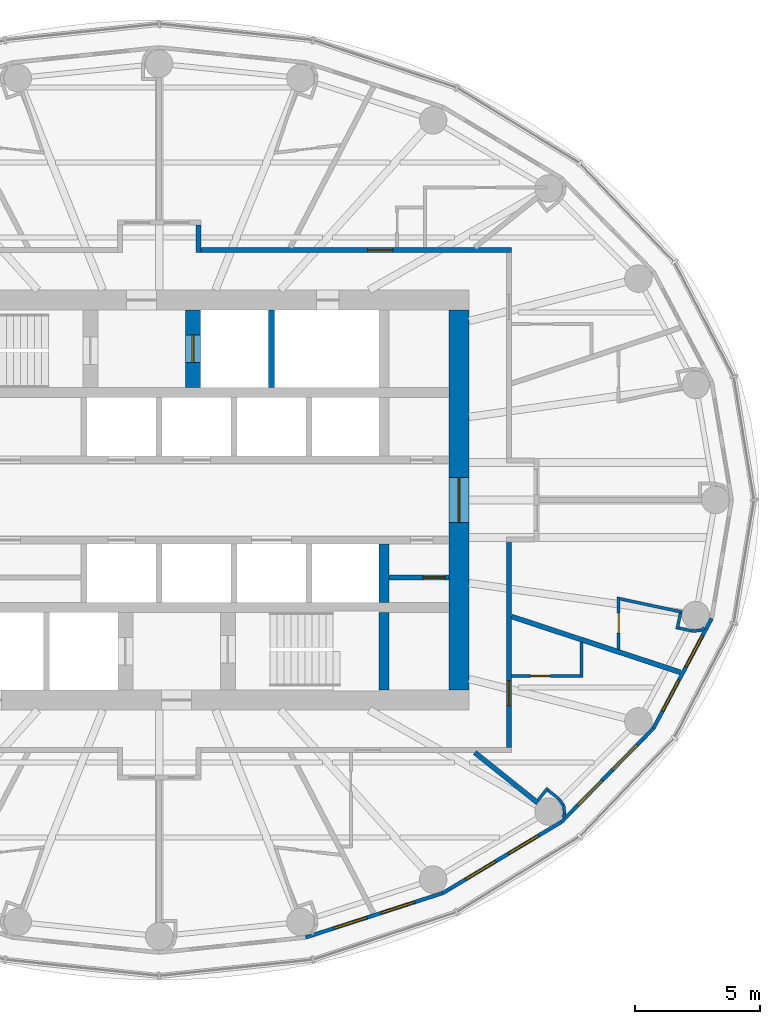
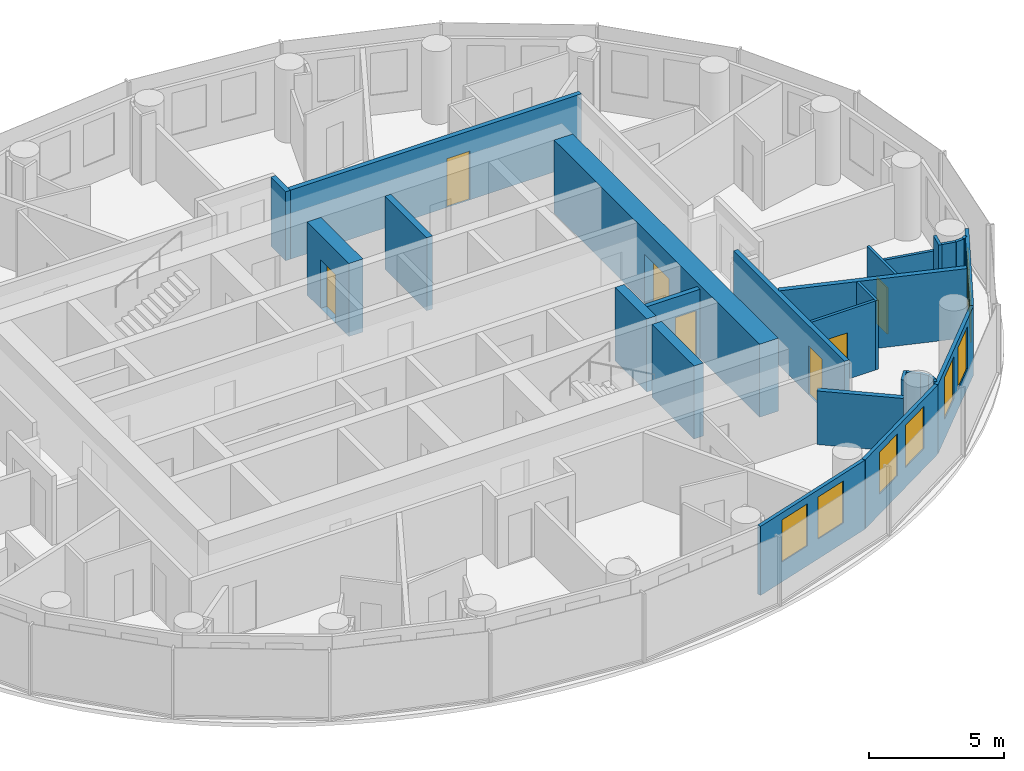
# One storey, part 10 of 16: 28 walls, 8 windows, 7 doors, 15 openings.
"""IFC4 building model written with IfcOpenShell, lengths in metres."""

from ifc_helpers import new_model, si_unit, direction, frame, frame_2d, origin, place, context, subcontext, project, spatial, rectangle, extrude, material, layer, layer_set, type_object, element, fill, save


model = new_model("IFC4")

# Units and contexts
model_context = context("Model", 3, precision=1e-05, world=origin(), true_north=direction((0.0, 1.0)))
body_context = subcontext(model_context, "Body", "Model", "MODEL_VIEW")
ifc_project = project(units=[si_unit("LENGTHUNIT", "METRE"), si_unit("AREAUNIT", "SQUARE_METRE"), si_unit("VOLUMEUNIT", "CUBIC_METRE"), si_unit("PLANEANGLEUNIT", "RADIAN"), si_unit("MASSUNIT", "GRAM", prefix="KILO")], contexts=[model_context])

# Site, building, storey
site_placement = place(None, origin())
site = spatial("IfcSite", under=ifc_project, at=site_placement, CompositionType="ELEMENT")
building_placement = place(site_placement, origin())
building = spatial("IfcBuilding", under=site, at=building_placement, Name="Hankou Lantern Tower", CompositionType="ELEMENT")
storey_placement = place(building_placement, frame((0.0, 0.0, 153.300048828125)))
storey = spatial("IfcBuildingStorey", under=building, at=storey_placement, Name="L40", CompositionType="ELEMENT", Elevation=153.300048828125)

# Wall, opening, door
ifc_material_1 = material(Name="Concrete C60", Category="concrete")
ifc_layer_1 = layer(ifc_material_1, 0.800048828125)
ifc_layer_set_1 = layer_set([ifc_layer_1], Name="Concrete C60")
wall_type_1 = type_object("IfcWallType", Name="CW2 CORE WALL 800", PredefinedType="SHEAR", material=ifc_layer_set_1)
wall_1_placement = place(storey_placement, frame((12.0, -7.60009765625, 0.0), z_axis=(0.0, 0.0, 1.0), x_axis=(0.0, 1.0, 0.0)))
wall_1 = element("IfcWall", 1, at=wall_1_placement, inside=storey, type_object=wall_type_1, Name="Core wall east L40", PredefinedType="SHEAR", context=body_context, shape_type="SweptSolid", body=[
    extrude(rectangle(XDim=15.2001953125, YDim=0.800048828125, at=frame_2d((7.60009765625, 0.0))), origin(), (0.0, 0.0, 1.0), 3.300048828125),
])
opening_1_placement = place(wall_1_placement, frame((6.699951171875, 0.0, 0.0)))
opening_1 = element("IfcOpeningElement", 2, at=opening_1_placement, cuts=wall_1, Name="Opening D6", PredefinedType="OPENING", context=body_context, shape_type="SweptSolid", body=[
    extrude(rectangle(XDim=1.800048828125, YDim=2.199951171875, at=frame_2d((0.89990234375, 1.10009765625))), frame((0.0, 0.409912109375, 0.0), z_axis=(0.0, -1.0, 0.0), x_axis=(1.0, 0.0, 0.0)), (0.0, 0.0, 1.0), 0.820068359375),
])
ifc_material_2 = material(Name="Steel door leaf", Category="steel")
door_type_1 = type_object("IfcDoorType", Name="D6 LIFT LOBBY DOOR 1800X2200", OperationType="DOUBLE_DOOR_DOUBLE_SWING", PredefinedType="DOOR", material=ifc_material_2)
door_1_placement = place(opening_1_placement, origin())
door_1 = element("IfcDoor", 3, at=door_1_placement, inside=storey, type_object=door_type_1, Name="Lift lobby east door", OperationType="DOUBLE_DOOR_DOUBLE_SWING", OverallHeight=2.199951171875, OverallWidth=1.800048828125, PredefinedType="DOOR", context=body_context, shape_type="SweptSolid", body=[
    extrude(rectangle(XDim=1.800048828125, YDim=2.199951171875, at=frame_2d((0.89990234375, 1.10009765625))), frame((0.0, 0.02490234375, 0.0), z_axis=(0.0, -1.0, 0.0), x_axis=(1.0, 0.0, 0.0)), (0.0, 0.0, 1.0), 0.050048828125),
])
fill(opening_1, door_1)

# Walls
ifc_material_3 = material(Name="Concrete C60", Category="concrete")
ifc_layer_2 = layer(ifc_material_3, 0.39990234375)
ifc_layer_set_2 = layer_set([ifc_layer_2], Name="Concrete C60")
wall_type_2 = type_object("IfcWallType", Name="CW4 CORE CROSS WALL 400", PredefinedType="SHEAR", material=ifc_layer_set_2)
wall_2_placement = place(storey_placement, frame((9.0, -4.10009765625, 0.0), z_axis=(0.0, 0.0, 1.0), x_axis=(0.0, 1.0, 0.0)))
element("IfcWall", 4, at=wall_2_placement, inside=storey, type_object=wall_type_2, Name="Core strip wall L40", PredefinedType="SHEAR", context=body_context, shape_type="SweptSolid", body=[
    extrude(rectangle(XDim=2.35009765625, YDim=0.39990234375, at=frame_2d((1.175048828125, 0.0))), origin(), (0.0, 0.0, 1.0), 3.300048828125),
])
wall_3_placement = place(storey_placement, frame((9.0, -7.60009765625, 0.0), z_axis=(0.0, 0.0, 1.0), x_axis=(0.0, 1.0, 0.0)))
element("IfcWall", 5, at=wall_3_placement, inside=storey, type_object=wall_type_2, Name="Core strip wall L40", PredefinedType="SHEAR", context=body_context, shape_type="SweptSolid", body=[
    extrude(rectangle(XDim=3.10009765625, YDim=0.39990234375, at=frame_2d((1.550048828125, 0.0))), origin(), (0.0, 0.0, 1.0), 3.300048828125),
])

# Wall, opening, door
ifc_material_4 = material(Name="Concrete C60", Category="concrete")
ifc_layer_3 = layer(ifc_material_4, 0.60009765625)
ifc_layer_set_3 = layer_set([ifc_layer_3], Name="Concrete C60")
wall_type_3 = type_object("IfcWallType", Name="CW6 STAIR AND SHAFT WALL 600", PredefinedType="SHEAR", material=ifc_layer_set_3)
wall_4_placement = place(storey_placement, frame((1.35009765625, 4.5, 0.0), z_axis=(0.0, 0.0, 1.0), x_axis=(0.0, 1.0, 0.0)))
wall_4 = element("IfcWall", 6, at=wall_4_placement, inside=storey, type_object=wall_type_3, Name="Firefighting lift shaft wall L40", PredefinedType="SHEAR", context=body_context, shape_type="SweptSolid", body=[
    extrude(rectangle(XDim=3.10009765625, YDim=0.60009765625, at=frame_2d((1.550048828125, 0.0))), origin(), (0.0, 0.0, 1.0), 3.300048828125),
])
opening_2_placement = place(wall_4_placement, frame((1.0, 0.0, 0.0)))
opening_2 = element("IfcOpeningElement", 7, at=opening_2_placement, cuts=wall_4, Name="Opening LD2", PredefinedType="OPENING", context=body_context, shape_type="SweptSolid", body=[
    extrude(rectangle(XDim=1.10009765625, YDim=2.199951171875, at=frame_2d((0.550048828125, 1.10009765625))), frame((0.0, 0.31005859375, 0.0), z_axis=(0.0, -1.0, 0.0), x_axis=(1.0, 0.0, 0.0)), (0.0, 0.0, 1.0), 0.6201171875),
])
ifc_material_5 = material(Name="Steel door leaf", Category="steel")
door_type_2 = type_object("IfcDoorType", Name="LD2 FIREFIGHTING LIFT LANDING DOOR 1100X2200", OperationType="DOUBLE_DOOR_SLIDING", PredefinedType="DOOR", material=ifc_material_5)
door_2_placement = place(opening_2_placement, origin())
door_2 = element("IfcDoor", 8, at=door_2_placement, inside=storey, type_object=door_type_2, Name="Firefighting lift FL1 landing door", OperationType="DOUBLE_DOOR_SLIDING", OverallHeight=2.199951171875, OverallWidth=1.10009765625, PredefinedType="DOOR", context=body_context, shape_type="SweptSolid", body=[
    extrude(rectangle(XDim=1.10009765625, YDim=2.199951171875, at=frame_2d((0.550048828125, 1.10009765625))), frame((0.0, 0.02490234375, 0.0), z_axis=(0.0, -1.0, 0.0), x_axis=(1.0, 0.0, 0.0)), (0.0, 0.0, 1.0), 0.050048828125),
])
fill(opening_2, door_2)

# Wall, openings, windows
ifc_material_6 = material(Name="Aluminium spandrel panel on steel studs", Category="steel")
ifc_layer_4 = layer(ifc_material_6, 0.14990234375)
ifc_layer_set_4 = layer_set([ifc_layer_4], Name="Aluminium spandrel panel on steel studs")
wall_type_4 = type_object("IfcWallType", Name="EW1 INNER SKIN WALL 150", PredefinedType="ELEMENTEDWALL", material=ifc_layer_set_4)
wall_5_placement = place(storey_placement, frame((5.8603515625, -17.497314453125, 0.0), z_axis=(0.0, 0.0, 1.0), x_axis=(0.951432482129, 0.307857486429, 0.0)))
wall_5 = element("IfcWall", 9, at=wall_5_placement, inside=storey, type_object=wall_type_4, Name="Inner skin R20-R21 L40", PredefinedType="ELEMENTEDWALL", context=body_context, shape_type="SweptSolid", body=[
    extrude(rectangle(XDim=5.76611328125, YDim=0.14990234375, at=frame_2d((2.883056640625, 0.0))), origin(), (0.0, 0.0, 1.0), 3.119873046875),
])
opening_3_placement = place(wall_5_placement, frame((1.18310546875, 0.0, 0.89990234375)))
opening_3 = element("IfcOpeningElement", 10, at=opening_3_placement, cuts=wall_5, Name="Opening W3", PredefinedType="OPENING", context=body_context, shape_type="SweptSolid", body=[
    extrude(rectangle(XDim=1.39990234375, YDim=1.89990234375, at=frame_2d((0.699951171875, 0.949951171875))), frame((0.0, 0.0849609375, 0.0), z_axis=(0.0, -1.0, 0.0), x_axis=(1.0, 0.0, 0.0)), (0.0, 0.0, 1.0), 0.169921875),
])
opening_4_placement = place(wall_5_placement, frame((3.18310546875, 0.0, 0.89990234375)))
opening_4 = element("IfcOpeningElement", 11, at=opening_4_placement, cuts=wall_5, Name="Opening W3", PredefinedType="OPENING", context=body_context, shape_type="SweptSolid", body=[
    extrude(rectangle(XDim=1.39990234375, YDim=1.89990234375, at=frame_2d((0.699951171875, 0.949951171875))), frame((0.0, 0.0849609375, 0.0), z_axis=(0.0, -1.0, 0.0), x_axis=(1.0, 0.0, 0.0)), (0.0, 0.0, 1.0), 0.169921875),
])
ifc_material_7 = material(Name="Aluminium framed double glazed window", Category="aluminium")
window_type = type_object("IfcWindowType", Name="W3 GUEST ROOM WINDOW 1400X1900", PartitioningType="DOUBLE_PANEL_VERTICAL", PredefinedType="WINDOW", material=ifc_material_7)
window_1_placement = place(opening_3_placement, origin())
window_1 = element("IfcWindow", 12, at=window_1_placement, inside=storey, type_object=window_type, Name="Window R20.1 L40", OverallHeight=1.89990234375, OverallWidth=1.39990234375, PartitioningType="SINGLE_PANEL", PredefinedType="WINDOW", context=body_context, shape_type="SweptSolid", body=[
    extrude(rectangle(XDim=1.39990234375, YDim=1.89990234375, at=frame_2d((0.699951171875, 0.949951171875))), frame((0.0, 0.030029296875, 0.0), z_axis=(0.0, -1.0, 0.0), x_axis=(1.0, 0.0, 0.0)), (0.0, 0.0, 1.0), 0.06005859375),
])
fill(opening_3, window_1)
window_2_placement = place(opening_4_placement, origin())
window_2 = element("IfcWindow", 13, at=window_2_placement, inside=storey, type_object=window_type, Name="Window R20.2 L40", OverallHeight=1.89990234375, OverallWidth=1.39990234375, PartitioningType="SINGLE_PANEL", PredefinedType="WINDOW", context=body_context, shape_type="SweptSolid", body=[
    extrude(rectangle(XDim=1.39990234375, YDim=1.89990234375, at=frame_2d((0.699951171875, 0.949951171875))), frame((0.0, 0.030029296875, 0.0), z_axis=(0.0, -1.0, 0.0), x_axis=(1.0, 0.0, 0.0)), (0.0, 0.0, 1.0), 0.06005859375),
])
fill(opening_4, window_2)

wall_6_placement = place(storey_placement, frame((11.346435546875, -15.72216796875, 0.0), z_axis=(0.0, 0.0, 1.0), x_axis=(0.857695199231, 0.514158482587, 0.0)))
wall_6 = element("IfcWall", 14, at=wall_6_placement, inside=storey, type_object=wall_type_4, Name="Inner skin R21-R22 L40", PredefinedType="ELEMENTEDWALL", context=body_context, shape_type="SweptSolid", body=[
    extrude(rectangle(XDim=5.5361328125, YDim=0.14990234375, at=frame_2d((2.76806640625, 0.0))), origin(), (0.0, 0.0, 1.0), 3.119873046875),
])
opening_5_placement = place(wall_6_placement, frame((1.068115234375, 0.0, 0.89990234375)))
opening_5 = element("IfcOpeningElement", 15, at=opening_5_placement, cuts=wall_6, Name="Opening W3", PredefinedType="OPENING", context=body_context, shape_type="SweptSolid", body=[
    extrude(rectangle(XDim=1.39990234375, YDim=1.89990234375, at=frame_2d((0.699951171875, 0.949951171875))), frame((0.0, 0.0849609375, 0.0), z_axis=(0.0, -1.0, 0.0), x_axis=(1.0, 0.0, 0.0)), (0.0, 0.0, 1.0), 0.169921875),
])
opening_6_placement = place(wall_6_placement, frame((3.068115234375, 0.0, 0.89990234375)))
opening_6 = element("IfcOpeningElement", 16, at=opening_6_placement, cuts=wall_6, Name="Opening W3", PredefinedType="OPENING", context=body_context, shape_type="SweptSolid", body=[
    extrude(rectangle(XDim=1.39990234375, YDim=1.89990234375, at=frame_2d((0.699951171875, 0.949951171875))), frame((0.0, 0.0849609375, 0.0), z_axis=(0.0, -1.0, 0.0), x_axis=(1.0, 0.0, 0.0)), (0.0, 0.0, 1.0), 0.169921875),
])
window_3_placement = place(opening_5_placement, origin())
window_3 = element("IfcWindow", 17, at=window_3_placement, inside=storey, type_object=window_type, Name="Window R21.1 L40", OverallHeight=1.89990234375, OverallWidth=1.39990234375, PartitioningType="SINGLE_PANEL", PredefinedType="WINDOW", context=body_context, shape_type="SweptSolid", body=[
    extrude(rectangle(XDim=1.39990234375, YDim=1.89990234375, at=frame_2d((0.699951171875, 0.949951171875))), frame((0.0, 0.030029296875, 0.0), z_axis=(0.0, -1.0, 0.0), x_axis=(1.0, 0.0, 0.0)), (0.0, 0.0, 1.0), 0.06005859375),
])
fill(opening_5, window_3)
window_4_placement = place(opening_6_placement, origin())
window_4 = element("IfcWindow", 18, at=window_4_placement, inside=storey, type_object=window_type, Name="Window R21.2 L40", OverallHeight=1.89990234375, OverallWidth=1.39990234375, PartitioningType="SINGLE_PANEL", PredefinedType="WINDOW", context=body_context, shape_type="SweptSolid", body=[
    extrude(rectangle(XDim=1.39990234375, YDim=1.89990234375, at=frame_2d((0.699951171875, 0.949951171875))), frame((0.0, 0.030029296875, 0.0), z_axis=(0.0, -1.0, 0.0), x_axis=(1.0, 0.0, 0.0)), (0.0, 0.0, 1.0), 0.06005859375),
])
fill(opening_6, window_4)

wall_7_placement = place(storey_placement, frame((16.0947265625, -12.875732421875, 0.0), z_axis=(0.0, 0.0, 1.0), x_axis=(0.700727467776, 0.71342905457, 0.0)))
wall_7 = element("IfcWall", 19, at=wall_7_placement, inside=storey, type_object=wall_type_4, Name="Inner skin R22-R23 L40", PredefinedType="ELEMENTEDWALL", context=body_context, shape_type="SweptSolid", body=[
    extrude(rectangle(XDim=5.247314453125, YDim=0.14990234375, at=frame_2d((2.62353515625, 0.0))), origin(), (0.0, 0.0, 1.0), 3.119873046875),
])
opening_7_placement = place(wall_7_placement, frame((0.923583984375, 0.0, 0.89990234375)))
opening_7 = element("IfcOpeningElement", 20, at=opening_7_placement, cuts=wall_7, Name="Opening W3", PredefinedType="OPENING", context=body_context, shape_type="SweptSolid", body=[
    extrude(rectangle(XDim=1.39990234375, YDim=1.89990234375, at=frame_2d((0.699951171875, 0.949951171875))), frame((0.0, 0.0849609375, 0.0), z_axis=(0.0, -1.0, 0.0), x_axis=(1.0, 0.0, 0.0)), (0.0, 0.0, 1.0), 0.169921875),
])
opening_8_placement = place(wall_7_placement, frame((2.923583984375, 0.0, 0.89990234375)))
opening_8 = element("IfcOpeningElement", 21, at=opening_8_placement, cuts=wall_7, Name="Opening W3", PredefinedType="OPENING", context=body_context, shape_type="SweptSolid", body=[
    extrude(rectangle(XDim=1.39990234375, YDim=1.89990234375, at=frame_2d((0.699951171875, 0.949951171875))), frame((0.0, 0.0849609375, 0.0), z_axis=(0.0, -1.0, 0.0), x_axis=(1.0, 0.0, 0.0)), (0.0, 0.0, 1.0), 0.169921875),
])
window_5_placement = place(opening_7_placement, origin())
window_5 = element("IfcWindow", 22, at=window_5_placement, inside=storey, type_object=window_type, Name="Window R22.1 L40", OverallHeight=1.89990234375, OverallWidth=1.39990234375, PartitioningType="SINGLE_PANEL", PredefinedType="WINDOW", context=body_context, shape_type="SweptSolid", body=[
    extrude(rectangle(XDim=1.39990234375, YDim=1.89990234375, at=frame_2d((0.699951171875, 0.949951171875))), frame((0.0, 0.030029296875, 0.0), z_axis=(0.0, -1.0, 0.0), x_axis=(1.0, 0.0, 0.0)), (0.0, 0.0, 1.0), 0.06005859375),
])
fill(opening_7, window_5)
window_6_placement = place(opening_8_placement, origin())
window_6 = element("IfcWindow", 23, at=window_6_placement, inside=storey, type_object=window_type, Name="Window R22.2 L40", OverallHeight=1.89990234375, OverallWidth=1.39990234375, PartitioningType="SINGLE_PANEL", PredefinedType="WINDOW", context=body_context, shape_type="SweptSolid", body=[
    extrude(rectangle(XDim=1.39990234375, YDim=1.89990234375, at=frame_2d((0.699951171875, 0.949951171875))), frame((0.0, 0.030029296875, 0.0), z_axis=(0.0, -1.0, 0.0), x_axis=(1.0, 0.0, 0.0)), (0.0, 0.0, 1.0), 0.06005859375),
])
fill(opening_8, window_6)

wall_8_placement = place(storey_placement, frame((19.771728515625, -9.132080078125, 0.0), z_axis=(0.0, 0.0, 1.0), x_axis=(0.468428906714, 0.883501193748, 0.0)))
wall_8 = element("IfcWall", 24, at=wall_8_placement, inside=storey, type_object=wall_type_4, Name="Inner skin R23-R24 L40", PredefinedType="ELEMENTEDWALL", context=body_context, shape_type="SweptSolid", body=[
    extrude(rectangle(XDim=4.9736328125, YDim=0.14990234375, at=frame_2d((2.48681640625, 0.0))), origin(), (0.0, 0.0, 1.0), 3.119873046875),
])
opening_9_placement = place(wall_8_placement, frame((0.786865234375, 0.0, 0.89990234375)))
opening_9 = element("IfcOpeningElement", 25, at=opening_9_placement, cuts=wall_8, Name="Opening W3", PredefinedType="OPENING", context=body_context, shape_type="SweptSolid", body=[
    extrude(rectangle(XDim=1.39990234375, YDim=1.89990234375, at=frame_2d((0.699951171875, 0.949951171875))), frame((0.0, 0.0849609375, 0.0), z_axis=(0.0, -1.0, 0.0), x_axis=(1.0, 0.0, 0.0)), (0.0, 0.0, 1.0), 0.169921875),
])
opening_10_placement = place(wall_8_placement, frame((2.786865234375, 0.0, 0.89990234375)))
opening_10 = element("IfcOpeningElement", 26, at=opening_10_placement, cuts=wall_8, Name="Opening W3", PredefinedType="OPENING", context=body_context, shape_type="SweptSolid", body=[
    extrude(rectangle(XDim=1.39990234375, YDim=1.89990234375, at=frame_2d((0.699951171875, 0.949951171875))), frame((0.0, 0.0849609375, 0.0), z_axis=(0.0, -1.0, 0.0), x_axis=(1.0, 0.0, 0.0)), (0.0, 0.0, 1.0), 0.169921875),
])
window_7_placement = place(opening_9_placement, origin())
window_7 = element("IfcWindow", 27, at=window_7_placement, inside=storey, type_object=window_type, Name="Window R23.1 L40", OverallHeight=1.89990234375, OverallWidth=1.39990234375, PartitioningType="SINGLE_PANEL", PredefinedType="WINDOW", context=body_context, shape_type="SweptSolid", body=[
    extrude(rectangle(XDim=1.39990234375, YDim=1.89990234375, at=frame_2d((0.699951171875, 0.949951171875))), frame((0.0, 0.030029296875, 0.0), z_axis=(0.0, -1.0, 0.0), x_axis=(1.0, 0.0, 0.0)), (0.0, 0.0, 1.0), 0.06005859375),
])
fill(opening_9, window_7)
window_8_placement = place(opening_10_placement, origin())
window_8 = element("IfcWindow", 28, at=window_8_placement, inside=storey, type_object=window_type, Name="Window R23.2 L40", OverallHeight=1.89990234375, OverallWidth=1.39990234375, PartitioningType="SINGLE_PANEL", PredefinedType="WINDOW", context=body_context, shape_type="SweptSolid", body=[
    extrude(rectangle(XDim=1.39990234375, YDim=1.89990234375, at=frame_2d((0.699951171875, 0.949951171875))), frame((0.0, 0.030029296875, 0.0), z_axis=(0.0, -1.0, 0.0), x_axis=(1.0, 0.0, 0.0)), (0.0, 0.0, 1.0), 0.06005859375),
])
fill(opening_10, window_8)

# Walls
ifc_material_8 = material(Name="Masonry lightweight concrete block", Category="masonry")
ifc_layer_5 = layer(ifc_material_8, 0.199951171875)
ifc_layer_set_5 = layer_set([ifc_layer_5], Name="Masonry lightweight concrete block")
wall_type_5 = type_object("IfcWallType", Name="IW1 GUEST ROOM PARTY WALL 200", PredefinedType="PARTITIONING", material=ifc_layer_set_5)
wall_9_placement = place(storey_placement, frame((12.625, -10.10009765625, 0.0), z_axis=(0.0, 0.0, 1.0), x_axis=(0.780876185034, -0.624685827954, 0.0)))
element("IfcWall", 29, at=wall_9_placement, inside=storey, type_object=wall_type_5, Name="Party wall R22", PredefinedType="PARTITIONING", context=body_context, shape_type="SweptSolid", body=[
    extrude(rectangle(XDim=3.229248046875, YDim=0.199951171875, at=frame_2d((1.61474609375, 0.0))), origin(), (0.0, 0.0, 1.0), 2.419921875),
])
wall_10_placement = place(storey_placement, frame((14.10009765625, -4.661376953125, 0.0), z_axis=(0.0, 0.0, 1.0), x_axis=(0.949453216399, -0.313908569285, 0.0)))
element("IfcWall", 30, at=wall_10_placement, inside=storey, type_object=wall_type_5, Name="Party wall R23-R24", PredefinedType="PARTITIONING", context=body_context, shape_type="SweptSolid", body=[
    extrude(rectangle(XDim=7.108642578125, YDim=0.199951171875, at=frame_2d((3.55419921875, 0.0))), origin(), (0.0, 0.0, 1.0), 3.119873046875),
])
ifc_material_9 = material(Name="Masonry lightweight concrete block", Category="masonry")
ifc_layer_6 = layer(ifc_material_9, 0.199951171875)
ifc_layer_set_6 = layer_set([ifc_layer_6], Name="Masonry lightweight concrete block")
wall_type_6 = type_object("IfcWallType", Name="IW2 CORRIDOR WALL 200", PredefinedType="PARTITIONING", material=ifc_layer_set_6)
wall_11_placement = place(storey_placement, frame((1.570068359375, 9.89990234375, 0.0), z_axis=(0.0, 0.0, 1.0), x_axis=(0.0, 1.0, 0.0)))
element("IfcWall", 31, at=wall_11_placement, inside=storey, type_object=wall_type_6, Name="Corridor alcove wall 4003-4004 right", PredefinedType="PARTITIONING", context=body_context, shape_type="SweptSolid", body=[
    extrude(rectangle(XDim=1.10009765625, YDim=0.199951171875, at=frame_2d((0.550048828125, 0.0))), origin(), (0.0, 0.0, 1.0), 3.119873046875),
])

# Wall, opening, door
wall_12_placement = place(storey_placement, frame((1.669921875, 10.0, 0.0), z_axis=(0.0, 0.0, 1.0), x_axis=(1.0, 0.0, 0.0)))
wall_12 = element("IfcWall", 32, at=wall_12_placement, inside=storey, type_object=wall_type_6, Name="Corridor wall north", PredefinedType="PARTITIONING", context=body_context, shape_type="SweptSolid", body=[
    extrude(rectangle(XDim=12.43017578125, YDim=0.199951171875, at=frame_2d((6.215087890625, 0.0))), origin(), (0.0, 0.0, 1.0), 3.119873046875),
])
opening_11_placement = place(wall_12_placement, frame((6.675048828125, 0.0, 0.0)))
opening_11 = element("IfcOpeningElement", 33, at=opening_11_placement, cuts=wall_12, Name="Opening D1", PredefinedType="OPENING", context=body_context, shape_type="SweptSolid", body=[
    extrude(rectangle(XDim=1.0, YDim=2.199951171875, at=frame_2d((0.5, 1.10009765625))), frame((0.0, 0.10986328125, 0.0), z_axis=(0.0, -1.0, 0.0), x_axis=(1.0, 0.0, 0.0)), (0.0, 0.0, 1.0), 0.219970703125),
])
ifc_material_10 = material(Name="Steel door leaf", Category="steel")
door_type_3 = type_object("IfcDoorType", Name="D1 GUEST ROOM DOOR 1000X2200", OperationType="SINGLE_SWING_LEFT", PredefinedType="DOOR", material=ifc_material_10)
door_3_placement = place(opening_11_placement, origin())
door_3 = element("IfcDoor", 34, at=door_3_placement, inside=storey, type_object=door_type_3, Name="Guest room door 4002", OperationType="SINGLE_SWING_RIGHT", OverallHeight=2.199951171875, OverallWidth=1.0, PredefinedType="DOOR", context=body_context, shape_type="SweptSolid", body=[
    extrude(rectangle(XDim=1.0, YDim=2.199951171875, at=frame_2d((0.5, 1.10009765625))), frame((0.0, 0.02490234375, 0.0), z_axis=(0.0, -1.0, 0.0), x_axis=(1.0, 0.0, 0.0)), (0.0, 0.0, 1.0), 0.050048828125),
])
fill(opening_11, door_3)

wall_13_placement = place(storey_placement, frame((14.0, -9.89990234375, 0.0), z_axis=(0.0, 0.0, 1.0), x_axis=(0.0, 1.0, 0.0)))
wall_13 = element("IfcWall", 35, at=wall_13_placement, inside=storey, type_object=wall_type_6, Name="Corridor wall east", PredefinedType="PARTITIONING", context=body_context, shape_type="SweptSolid", body=[
    extrude(rectangle(XDim=8.22998046875, YDim=0.199951171875, at=frame_2d((4.114990234375, 0.0))), origin(), (0.0, 0.0, 1.0), 3.119873046875),
])
opening_12_placement = place(wall_13_placement, frame((1.678466796875, 0.0, 0.0)))
opening_12 = element("IfcOpeningElement", 36, at=opening_12_placement, cuts=wall_13, Name="Opening D1", PredefinedType="OPENING", context=body_context, shape_type="SweptSolid", body=[
    extrude(rectangle(XDim=1.0, YDim=2.199951171875, at=frame_2d((0.5, 1.10009765625))), frame((0.0, 0.10986328125, 0.0), z_axis=(0.0, -1.0, 0.0), x_axis=(1.0, 0.0, 0.0)), (0.0, 0.0, 1.0), 0.219970703125),
])
door_4_placement = place(opening_12_placement, origin())
door_4 = element("IfcDoor", 37, at=door_4_placement, inside=storey, type_object=door_type_3, Name="Guest room door 4014", OperationType="SINGLE_SWING_LEFT", OverallHeight=2.199951171875, OverallWidth=1.0, PredefinedType="DOOR", context=body_context, shape_type="SweptSolid", body=[
    extrude(rectangle(XDim=1.0, YDim=2.199951171875, at=frame_2d((0.5, 1.10009765625))), frame((0.0, 0.02490234375, 0.0), z_axis=(0.0, -1.0, 0.0), x_axis=(1.0, 0.0, 0.0)), (0.0, 0.0, 1.0), 0.050048828125),
])
fill(opening_12, door_4)

# Wall
ifc_material_11 = material(Name="Masonry lightweight concrete block", Category="masonry")
ifc_layer_7 = layer(ifc_material_11, 0.1201171875)
ifc_layer_set_7 = layer_set([ifc_layer_7], Name="Masonry lightweight concrete block")
wall_type_7 = type_object("IfcWallType", Name="IW3 BATHROOM WALL 120", PredefinedType="PARTITIONING", material=ifc_layer_set_7)
wall_14_placement = place(storey_placement, frame((16.89990234375, -5.687255859375, 0.0), z_axis=(0.0, 0.0, 1.0), x_axis=(0.0, -1.0, 0.0)))
element("IfcWall", 38, at=wall_14_placement, inside=storey, type_object=wall_type_7, Name="Box wall 4014 1", PredefinedType="PARTITIONING", context=body_context, shape_type="SweptSolid", body=[
    extrude(rectangle(XDim=1.414306640625, YDim=0.1201171875, at=frame_2d((0.70703125, 0.0))), origin(), (0.0, 0.0, 1.0), 3.119873046875),
])

# Wall, opening, door
wall_15_placement = place(storey_placement, frame((14.10009765625, -7.04150390625, 0.0), z_axis=(0.0, 0.0, 1.0), x_axis=(1.0, 0.0, 0.0)))
wall_15 = element("IfcWall", 39, at=wall_15_placement, inside=storey, type_object=wall_type_7, Name="Box wall 4014 1", PredefinedType="PARTITIONING", context=body_context, shape_type="SweptSolid", body=[
    extrude(rectangle(XDim=2.739990234375, YDim=0.1201171875, at=frame_2d((1.3701171875, 0.0))), origin(), (0.0, 0.0, 1.0), 3.119873046875),
])
opening_13_placement = place(wall_15_placement, frame((0.75, 0.0, 0.0)))
opening_13 = element("IfcOpeningElement", 40, at=opening_13_placement, cuts=wall_15, Name="Opening D3", PredefinedType="OPENING", context=body_context, shape_type="SweptSolid", body=[
    extrude(rectangle(XDim=0.800048828125, YDim=2.10009765625, at=frame_2d((0.39990234375, 1.050048828125))), frame((0.0, 0.070068359375, 0.0), z_axis=(0.0, -1.0, 0.0), x_axis=(1.0, 0.0, 0.0)), (0.0, 0.0, 1.0), 0.14013671875),
])
ifc_material_12 = material(Name="Timber door leaf", Category="wood")
door_type_4 = type_object("IfcDoorType", Name="D3 BATHROOM DOOR 800X2100", OperationType="SINGLE_SWING_LEFT", PredefinedType="DOOR", material=ifc_material_12)
door_5_placement = place(opening_13_placement, origin())
door_5 = element("IfcDoor", 41, at=door_5_placement, inside=storey, type_object=door_type_4, Name="En-suite bathroom 4014 door", OperationType="SINGLE_SWING_LEFT", OverallHeight=2.10009765625, OverallWidth=0.800048828125, PredefinedType="DOOR", context=body_context, shape_type="SweptSolid", body=[
    extrude(rectangle(XDim=0.800048828125, YDim=2.10009765625, at=frame_2d((0.39990234375, 1.050048828125))), frame((0.0, 0.02490234375, 0.0), z_axis=(0.0, -1.0, 0.0), x_axis=(1.0, 0.0, 0.0)), (0.0, 0.0, 1.0), 0.050048828125),
])
fill(opening_13, door_5)

wall_16_placement = place(storey_placement, frame((18.380859375, -5.971435546875, 0.0), z_axis=(0.0, 0.0, 1.0), x_axis=(0.000934142516, 0.999999563689, 0.0)))
wall_16 = element("IfcWall", 42, at=wall_16_placement, inside=storey, type_object=wall_type_7, Name="Box wall 4015 1", PredefinedType="PARTITIONING", context=body_context, shape_type="SweptSolid", body=[
    extrude(rectangle(XDim=2.0908203125, YDim=0.1201171875, at=frame_2d((1.04541015625, 0.0))), origin(), (0.0, 0.0, 1.0), 3.119873046875),
])
opening_14_placement = place(wall_16_placement, frame((0.6455078125, 0.0, 0.0)))
opening_14 = element("IfcOpeningElement", 43, at=opening_14_placement, cuts=wall_16, Name="Opening D3", PredefinedType="OPENING", context=body_context, shape_type="SweptSolid", body=[
    extrude(rectangle(XDim=0.800048828125, YDim=2.10009765625, at=frame_2d((0.39990234375, 1.050048828125))), frame((0.0, 0.070068359375, 0.0), z_axis=(0.0, -1.0, 0.0), x_axis=(1.0, 0.0, 0.0)), (0.0, 0.0, 1.0), 0.14013671875),
])
door_6_placement = place(opening_14_placement, origin())
door_6 = element("IfcDoor", 44, at=door_6_placement, inside=storey, type_object=door_type_4, Name="En-suite bathroom 4015 door", OperationType="SINGLE_SWING_LEFT", OverallHeight=2.10009765625, OverallWidth=0.800048828125, PredefinedType="DOOR", context=body_context, shape_type="SweptSolid", body=[
    extrude(rectangle(XDim=0.800048828125, YDim=2.10009765625, at=frame_2d((0.39990234375, 1.050048828125))), frame((0.0, 0.02490234375, 0.0), z_axis=(0.0, -1.0, 0.0), x_axis=(1.0, 0.0, 0.0)), (0.0, 0.0, 1.0), 0.050048828125),
])
fill(opening_14, door_6)

# Walls
wall_17_placement = place(storey_placement, frame((18.44140625, -3.953125, 0.0), z_axis=(0.0, 0.0, 1.0), x_axis=(0.977801007461, -0.209535652833, 0.0)))
element("IfcWall", 45, at=wall_17_placement, inside=storey, type_object=wall_type_7, Name="Box wall 4015 2", PredefinedType="PARTITIONING", context=body_context, shape_type="SweptSolid", body=[
    extrude(rectangle(XDim=2.5400390625, YDim=0.1201171875, at=frame_2d((1.27001953125, 0.0))), origin(), (0.0, 0.0, 1.0), 2.419921875),
])
wall_18_placement = place(storey_placement, frame((20.853759765625, -4.531494140625, 0.0), z_axis=(0.0, 0.0, 1.0), x_axis=(-0.209631346779, -0.977780496046, 0.0)))
element("IfcWall", 46, at=wall_18_placement, inside=storey, type_object=wall_type_7, Name="Column casing 4015 return", PredefinedType="PARTITIONING", context=body_context, shape_type="SweptSolid", body=[
    extrude(rectangle(XDim=0.652099609375, YDim=0.1201171875, at=frame_2d((0.326171875, 0.0))), origin(), (0.0, 0.0, 1.0), 3.119873046875),
])
wall_19_placement = place(storey_placement, frame((20.788330078125, -5.123291015625, 0.0), z_axis=(0.0, 0.0, 1.0), x_axis=(0.977789415726, -0.209589738521, 0.0)))
element("IfcWall", 47, at=wall_19_placement, inside=storey, type_object=wall_type_7, Name="Column casing 4015", PredefinedType="PARTITIONING", context=body_context, shape_type="SweptSolid", body=[
    extrude(rectangle(XDim=0.5498046875, YDim=0.1201171875, at=frame_2d((0.27490234375, 0.0))), origin(), (0.0, 0.0, 1.0), 3.119873046875),
])
wall_20_placement = place(storey_placement, frame((21.325927734375, -5.238525390625, 0.0), z_axis=(0.0, 0.0, 1.0), x_axis=(0.998719689441, 0.050586380797, 0.0)))
element("IfcWall", 48, at=wall_20_placement, inside=storey, type_object=wall_type_7, Name="Column casing 4015", PredefinedType="PARTITIONING", context=body_context, shape_type="SweptSolid", body=[
    extrude(rectangle(XDim=0.337890625, YDim=0.1201171875, at=frame_2d((0.1689453125, 0.0))), origin(), (0.0, 0.0, 1.0), 3.119873046875),
])
wall_21_placement = place(storey_placement, frame((21.663330078125, -5.221435546875, 0.0), z_axis=(0.0, 0.0, 1.0), x_axis=(0.839279022252, 0.543700949795, 0.0)))
element("IfcWall", 49, at=wall_21_placement, inside=storey, type_object=wall_type_7, Name="Column casing 4015", PredefinedType="PARTITIONING", context=body_context, shape_type="SweptSolid", body=[
    extrude(rectangle(XDim=0.18017578125, YDim=0.1201171875, at=frame_2d((0.090087890625, 0.0))), origin(), (0.0, 0.0, 1.0), 3.119873046875),
])
ifc_material_13 = material(Name="Masonry lightweight concrete block", Category="masonry")
ifc_layer_8 = layer(ifc_material_13, 0.1201171875)
ifc_layer_set_8 = layer_set([ifc_layer_8], Name="Masonry lightweight concrete block")
wall_type_8 = type_object("IfcWallType", Name="IW4 PARTITION 120", PredefinedType="PARTITIONING", material=ifc_layer_set_8)
wall_22_placement = place(storey_placement, frame((15.162353515625, -12.001708984375, 0.0), z_axis=(0.0, 0.0, 1.0), x_axis=(0.624597762427, 0.780946627607, 0.0)))
element("IfcWall", 50, at=wall_22_placement, inside=storey, type_object=wall_type_8, Name="Column casing R22 return", PredefinedType="PARTITIONING", context=body_context, shape_type="SweptSolid", body=[
    extrude(rectangle(XDim=0.612060546875, YDim=0.1201171875, at=frame_2d((0.30615234375, 0.0))), origin(), (0.0, 0.0, 1.0), 3.119873046875),
])
wall_23_placement = place(storey_placement, frame((15.55419921875, -11.60791015625, 0.0), z_axis=(0.0, 0.0, 1.0), x_axis=(0.780695577787, -0.624911525597, 0.0)))
element("IfcWall", 51, at=wall_23_placement, inside=storey, type_object=wall_type_8, Name="Column casing R22", PredefinedType="PARTITIONING", context=body_context, shape_type="SweptSolid", body=[
    extrude(rectangle(XDim=0.550048828125, YDim=0.1201171875, at=frame_2d((0.27490234375, 0.0))), origin(), (0.0, 0.0, 1.0), 3.119873046875),
])
wall_24_placement = place(storey_placement, frame((15.983642578125, -11.95166015625, 0.0), z_axis=(0.0, 0.0, 1.0), x_axis=(0.592335221171, -0.805691619517, 0.0)))
element("IfcWall", 52, at=wall_24_placement, inside=storey, type_object=wall_type_8, Name="Column casing R22", PredefinedType="PARTITIONING", context=body_context, shape_type="SweptSolid", body=[
    extrude(rectangle(XDim=0.337646484375, YDim=0.1201171875, at=frame_2d((0.1689453125, 0.0))), origin(), (0.0, 0.0, 1.0), 3.119873046875),
])
wall_25_placement = place(storey_placement, frame((16.18359375, -12.2236328125, 0.0), z_axis=(0.0, 0.0, 1.0), x_axis=(0.110669692975, -0.993857242795, 0.0)))
element("IfcWall", 53, at=wall_25_placement, inside=storey, type_object=wall_type_8, Name="Column casing R22", PredefinedType="PARTITIONING", context=body_context, shape_type="SweptSolid", body=[
    extrude(rectangle(XDim=0.33740234375, YDim=0.1201171875, at=frame_2d((0.168701171875, 0.0))), origin(), (0.0, 0.0, 1.0), 3.119873046875),
])
wall_26_placement = place(storey_placement, frame((16.220947265625, -12.55908203125, 0.0), z_axis=(0.0, 0.0, 1.0), x_axis=(-0.401064416249, -0.916049853457, 0.0)))
element("IfcWall", 54, at=wall_26_placement, inside=storey, type_object=wall_type_8, Name="Column casing R22", PredefinedType="PARTITIONING", context=body_context, shape_type="SweptSolid", body=[
    extrude(rectangle(XDim=0.156494140625, YDim=0.1201171875, at=frame_2d((0.078125, 0.0))), origin(), (0.0, 0.0, 1.0), 3.119873046875),
])

# Wall, opening, door
ifc_material_14 = material(Name="Masonry lightweight concrete block", Category="masonry")
ifc_layer_9 = layer(ifc_material_14, 0.199951171875)
ifc_layer_set_9 = layer_set([ifc_layer_9], Name="Masonry lightweight concrete block")
wall_type_9 = type_object("IfcWallType", Name="IW8 PARTITION 200", PredefinedType="PARTITIONING", material=ifc_layer_set_9)
wall_27_placement = place(storey_placement, frame((9.199951171875, -3.10009765625, 0.0), z_axis=(0.0, 0.0, 1.0), x_axis=(1.0, 0.0, 0.0)))
wall_27 = element("IfcWall", 55, at=wall_27_placement, inside=storey, type_object=wall_type_9, Name="Partition cleaner's store", PredefinedType="PARTITIONING", context=body_context, shape_type="SweptSolid", body=[
    extrude(rectangle(XDim=2.400146484375, YDim=0.199951171875, at=frame_2d((1.2001953125, 0.0))), origin(), (0.0, 0.0, 1.0), 3.119873046875),
])
opening_15_placement = place(wall_27_placement, frame((1.35009765625, 0.0, 0.0)))
opening_15 = element("IfcOpeningElement", 56, at=opening_15_placement, cuts=wall_27, Name="Opening D12", PredefinedType="OPENING", context=body_context, shape_type="SweptSolid", body=[
    extrude(rectangle(XDim=0.89990234375, YDim=2.199951171875, at=frame_2d((0.449951171875, 1.10009765625))), frame((0.0, 0.10986328125, 0.0), z_axis=(0.0, -1.0, 0.0), x_axis=(1.0, 0.0, 0.0)), (0.0, 0.0, 1.0), 0.219970703125),
])
ifc_material_15 = material(Name="Steel door leaf", Category="steel")
door_type_5 = type_object("IfcDoorType", Name="D12 STORE DOOR 900X2200", OperationType="SINGLE_SWING_LEFT", PredefinedType="DOOR", material=ifc_material_15)
door_7_placement = place(opening_15_placement, origin())
door_7 = element("IfcDoor", 57, at=door_7_placement, inside=storey, type_object=door_type_5, Name="Cleaning materials cupboard door", OperationType="SINGLE_SWING_RIGHT", OverallHeight=2.199951171875, OverallWidth=0.89990234375, PredefinedType="DOOR", context=body_context, shape_type="SweptSolid", body=[
    extrude(rectangle(XDim=0.89990234375, YDim=2.199951171875, at=frame_2d((0.449951171875, 1.10009765625))), frame((0.0, 0.02490234375, 0.0), z_axis=(0.0, -1.0, 0.0), x_axis=(1.0, 0.0, 0.0)), (0.0, 0.0, 1.0), 0.050048828125),
])
fill(opening_15, door_7)

# Wall
ifc_material_16 = material(Name="Masonry autoclaved aerated concrete block", Category="masonry")
ifc_layer_10 = layer(ifc_material_16, 0.25)
ifc_layer_set_10 = layer_set([ifc_layer_10], Name="Masonry autoclaved aerated concrete block")
wall_type_10 = type_object("IfcWallType", Name="SW1 SHAFT BLOCK WALL 250", PredefinedType="PARTITIONING", material=ifc_layer_set_10)
wall_28_placement = place(storey_placement, frame((4.5, 4.5, 0.0), z_axis=(0.0, 0.0, 1.0), x_axis=(0.0, 1.0, 0.0)))
element("IfcWall", 58, at=wall_28_placement, inside=storey, type_object=wall_type_10, Name="Riser wall L40", PredefinedType="PARTITIONING", context=body_context, shape_type="SweptSolid", body=[
    extrude(rectangle(XDim=3.10009765625, YDim=0.25, at=frame_2d((1.550048828125, 0.0))), origin(), (0.0, 0.0, 1.0), 3.300048828125),
])

save(model, "model.ifc")
